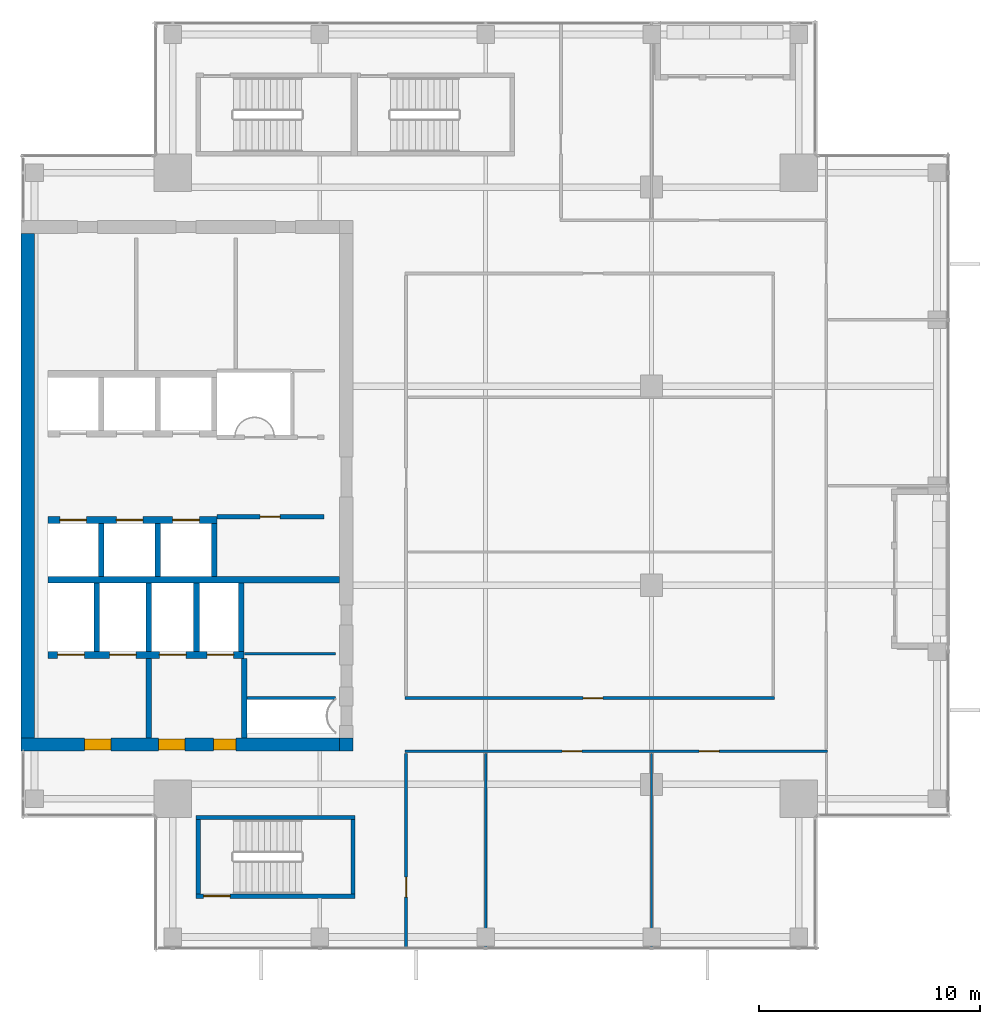
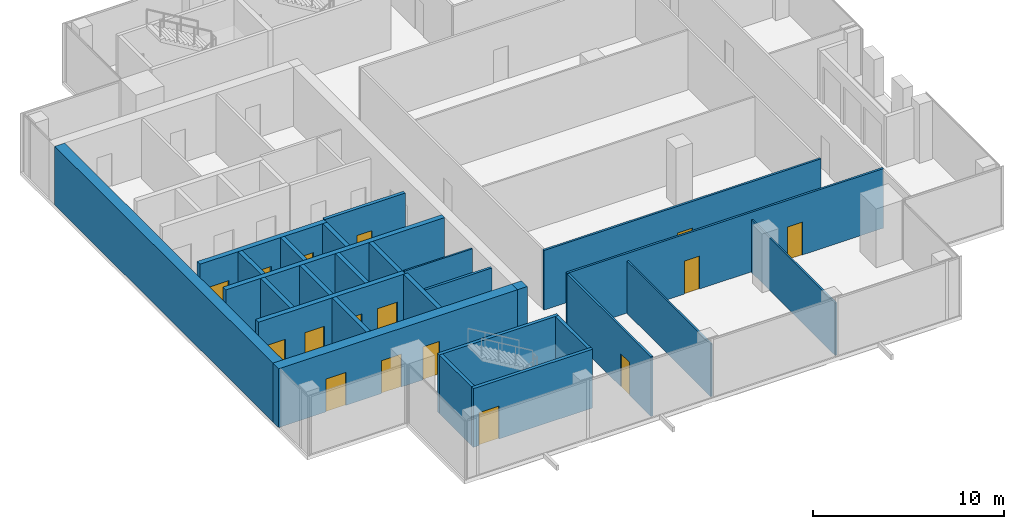
# One storey, part 24 of 29: 27 walls, 16 doors, 16 openings.
"""IFC4 building model written with IfcOpenShell, lengths in metres."""

from ifc_helpers import new_model, si_unit, direction, frame, frame_2d, origin, place, context, subcontext, project, spatial, rectangle, extrude, source, transform, mapped, material, layer, layer_set, type_object, element, fill, save


model = new_model("IFC4")

# Units and contexts
model_context = context("Model", 3, precision=1e-05, world=origin(), true_north=direction((0.0, 1.0)))
body_context = subcontext(model_context, "Body", "Model", "MODEL_VIEW")
ifc_project = project(units=[si_unit("LENGTHUNIT", "METRE"), si_unit("AREAUNIT", "SQUARE_METRE"), si_unit("VOLUMEUNIT", "CUBIC_METRE"), si_unit("PLANEANGLEUNIT", "RADIAN"), si_unit("MASSUNIT", "GRAM", prefix="KILO")], contexts=[model_context])

# Site, building, storey
site_placement = place(None, origin())
site = spatial("IfcSite", under=ifc_project, at=site_placement, CompositionType="ELEMENT")
building_placement = place(site_placement, origin())
building = spatial("IfcBuilding", under=site, at=building_placement, Name="Khomas Fold Tower", CompositionType="ELEMENT")
storey_placement = place(building_placement, frame((0.0, 0.0, 290.199951171875)))
storey = spatial("IfcBuildingStorey", under=building, at=storey_placement, Name="L65", CompositionType="ELEMENT", Elevation=290.199951171875)

# Wall
ifc_material_1 = material(Name="Concrete C50/60", Category="concrete")
ifc_layer_1 = layer(ifc_material_1, 0.199951171875)
ifc_layer_set_1 = layer_set([ifc_layer_1], Name="Concrete C50/60")
wall_type_1 = type_object("IfcWallType", Name="Stair wall 200", PredefinedType="SHEAR", material=ifc_layer_set_1)
shared_shape_1 = source(origin(), body_context, "Body", "SweptSolid", [
    extrude(rectangle(XDim=7.2001953125, YDim=0.199951171875, at=frame_2d((3.60009765625, 0.0))), origin(), (0.0, 0.0, 1.0), 3.75),
])
wall_1_placement = place(storey_placement, frame((13.89990234375, 12.0, 0.0), z_axis=(0.0, 0.0, 1.0), x_axis=(1.0, 0.0, 0.0)))
element("IfcWall", 1, at=wall_1_placement, inside=storey, type_object=wall_type_1, Name="Stair wall SW-ST2-NH", PredefinedType="SHEAR", context=body_context, shape_type="MappedRepresentation", body=[
    mapped(shared_shape_1, transform((0.0, 0.0, 0.0))),
])

# Wall, opening, door
wall_2_placement = place(storey_placement, frame((13.89990234375, 8.449951171875, 0.0), z_axis=(0.0, 0.0, 1.0), x_axis=(1.0, 0.0, 0.0)))
wall_2 = element("IfcWall", 2, at=wall_2_placement, inside=storey, type_object=wall_type_1, Name="Stair wall SW-ST2-S", PredefinedType="SHEAR", context=body_context, shape_type="MappedRepresentation", body=[
    mapped(shared_shape_1, transform((0.0, 0.0, 0.0))),
])
shared_shape_2 = source(origin(), body_context, "Body", "SweptSolid", [
    extrude(rectangle(XDim=1.199951171875, YDim=2.10009765625, at=frame_2d((0.60009765625, 1.050048828125))), frame((0.0, 0.10986328125, 0.0), z_axis=(0.0, -1.0, 0.0), x_axis=(1.0, 0.0, 0.0)), (0.0, 0.0, 1.0), 0.219970703125),
])
opening_1_placement = place(wall_2_placement, frame((0.35009765625, 0.0, 0.0)))
opening_1 = element("IfcOpeningElement", 3, at=opening_1_placement, cuts=wall_2, Name="Opening SD-ST2", PredefinedType="OPENING", context=body_context, shape_type="MappedRepresentation", body=[
    mapped(shared_shape_2, transform((0.0, 0.0, 0.0))),
])
ifc_material_2 = material(Name="Steel door leaf", Category="steel")
door_type_1 = type_object("IfcDoorType", Name="Stair door 1200x2100 right-hand", OperationType="SINGLE_SWING_RIGHT", PredefinedType="DOOR", material=ifc_material_2)
shared_shape_3 = source(origin(), body_context, "Body", "SweptSolid", [
    extrude(rectangle(XDim=1.199951171875, YDim=2.10009765625, at=frame_2d((0.60009765625, 1.050048828125))), frame((0.0, 0.02490234375, 0.0), z_axis=(0.0, -1.0, 0.0), x_axis=(1.0, 0.0, 0.0)), (0.0, 0.0, 1.0), 0.050048828125),
])
door_1_placement = place(opening_1_placement, origin())
door_1 = element("IfcDoor", 4, at=door_1_placement, inside=storey, type_object=door_type_1, Name="Stair door", OperationType="SINGLE_SWING_RIGHT", OverallHeight=2.10009765625, OverallWidth=1.199951171875, PredefinedType="DOOR", context=body_context, shape_type="MappedRepresentation", body=[
    mapped(shared_shape_3, transform((0.0, 0.0, 0.0))),
])
fill(opening_1, door_1)

# Walls
shared_shape_4 = source(origin(), body_context, "Body", "SweptSolid", [
    extrude(rectangle(XDim=3.349853515625, YDim=0.199951171875, at=frame_2d((1.6748046875, 0.0))), origin(), (0.0, 0.0, 1.0), 3.75),
])
for number, where, z_axis, x_axis, name in (
    (5, (21.0, 8.550048828125, 0.0), (0.0, 0.0, 1.0), (0.0, 1.0, 0.0), "Stair wall SW-ST2-E"),
    (6, (14.0, 8.550048828125, 0.0), (0.0, 0.0, 1.0), (0.0, 1.0, 0.0), "Stair wall SW-ST2-W"),
):
    element("IfcWall", number, at=place(storey_placement, frame(where, z_axis=z_axis, x_axis=x_axis)), inside=storey, type_object=wall_type_1, Name=name, PredefinedType="SHEAR", context=body_context, shape_type="MappedRepresentation", body=[
        mapped(shared_shape_4, transform((0.0, 0.0, 0.0))),
    ])
ifc_material_3 = material(Name="Concrete C50/60", Category="concrete")
ifc_layer_2 = layer(ifc_material_3, 0.25)
ifc_layer_set_2 = layer_set([ifc_layer_2], Name="Concrete C50/60")
wall_type_2 = type_object("IfcWallType", Name="Shaft wall 250", PredefinedType="STANDARD", material=ifc_layer_set_2)
shared_shape_5 = source(origin(), body_context, "Body", "SweptSolid", [
    extrude(rectangle(XDim=3.10009765625, YDim=0.25, at=frame_2d((1.550048828125, 0.0))), origin(), (0.0, 0.0, 1.0), 3.75),
])
for number, where, z_axis, x_axis, name in (
    (7, (9.425048828125, 19.5, 0.0), (0.0, 0.0, 1.0), (0.0, 1.0, 0.0), "Core wall SW-FS-P1"),
    (8, (11.77490234375, 19.5, 0.0), (0.0, 0.0, 1.0), (0.0, 1.0, 0.0), "Core wall SW-FS-P2"),
    (9, (13.925048828125, 19.5, 0.0), (0.0, 0.0, 1.0), (0.0, 1.0, 0.0), "Core wall SW-FS-P3"),
    (10, (15.949951171875, 19.5, 0.0), (0.0, 0.0, 1.0), (0.0, 1.0, 0.0), "Core wall SW-FS-PE"),
):
    element("IfcWall", number, at=place(storey_placement, frame(where, z_axis=z_axis, x_axis=x_axis)), inside=storey, type_object=wall_type_2, Name=name, PredefinedType="STANDARD", context=body_context, shape_type="MappedRepresentation", body=[
        mapped(shared_shape_5, transform((0.0, 0.0, 0.0))),
    ])
shared_shape_6 = source(origin(), body_context, "Body", "SweptSolid", [
    extrude(rectangle(XDim=2.400146484375, YDim=0.25, at=frame_2d((1.2001953125, 0.0))), origin(), (0.0, 0.0, 1.0), 3.75),
])
for number, where, z_axis, x_axis, name in (
    (11, (9.625, 22.89990234375, 0.0), (0.0, 0.0, 1.0), (0.0, 1.0, 0.0), "Core wall SW-HRS-P1"),
    (12, (12.175048828125, 22.89990234375, 0.0), (0.0, 0.0, 1.0), (0.0, 1.0, 0.0), "Core wall SW-HRS-P2"),
    (13, (14.72509765625, 22.89990234375, 0.0), (0.0, 0.0, 1.0), (0.0, 1.0, 0.0), "Core wall SW-HRS-PE"),
):
    element("IfcWall", number, at=place(storey_placement, frame(where, z_axis=z_axis, x_axis=x_axis)), inside=storey, type_object=wall_type_2, Name=name, PredefinedType="STANDARD", context=body_context, shape_type="MappedRepresentation", body=[
        mapped(shared_shape_6, transform((0.0, 0.0, 0.0))),
    ])

# Wall, openings, doors
ifc_material_4 = material(Name="Concrete C50/60", Category="concrete")
ifc_layer_3 = layer(ifc_material_4, 0.60009765625)
ifc_layer_set_3 = layer_set([ifc_layer_3], Name="Concrete C50/60")
wall_type_3 = type_object("IfcWallType", Name="Core wall 600", PredefinedType="SHEAR", material=ifc_layer_set_3)
shared_shape_7 = source(origin(), body_context, "Body", "SweptSolid", [
    extrude(rectangle(XDim=14.39990234375, YDim=0.60009765625, at=frame_2d((7.199951171875, 0.0))), origin(), (0.0, 0.0, 1.0), 3.75),
])
wall_3_placement = place(storey_placement, frame((6.0, 15.300048828125, 0.0), z_axis=(0.0, 0.0, 1.0), x_axis=(1.0, 0.0, 0.0)))
wall_3 = element("IfcWall", 14, at=wall_3_placement, inside=storey, type_object=wall_type_3, Name="Core wall CW-U-S-L63", PredefinedType="SHEAR", context=body_context, shape_type="MappedRepresentation", body=[
    mapped(shared_shape_7, transform((0.0, 0.0, 0.0))),
])
shared_shape_8 = source(origin(), body_context, "Body", "SweptSolid", [
    extrude(rectangle(XDim=1.199951171875, YDim=2.10009765625, at=frame_2d((0.60009765625, 1.050048828125))), frame((0.0, 0.31005859375, 0.0), z_axis=(0.0, -1.0, 0.0), x_axis=(1.0, 0.0, 0.0)), (0.0, 0.0, 1.0), 0.6201171875),
])
opening_2_placement = place(wall_3_placement, frame((6.199951171875, 0.0, 0.0)))
opening_2 = element("IfcOpeningElement", 15, at=opening_2_placement, cuts=wall_3, Name="Opening 0009", PredefinedType="OPENING", context=body_context, shape_type="MappedRepresentation", body=[
    mapped(shared_shape_8, transform((0.0, 0.0, 0.0))),
])
opening_3_placement = place(wall_3_placement, frame((2.85009765625, 0.0, 0.0)))
opening_3 = element("IfcOpeningElement", 16, at=opening_3_placement, cuts=wall_3, Name="Opening 0009", PredefinedType="OPENING", context=body_context, shape_type="MappedRepresentation", body=[
    mapped(shared_shape_8, transform((0.0, 0.0, 0.0))),
])
shared_shape_9 = source(origin(), body_context, "Body", "SweptSolid", [
    extrude(rectangle(XDim=1.0, YDim=2.10009765625, at=frame_2d((0.5, 1.050048828125))), frame((0.0, 0.31005859375, 0.0), z_axis=(0.0, -1.0, 0.0), x_axis=(1.0, 0.0, 0.0)), (0.0, 0.0, 1.0), 0.6201171875),
])
opening_4_placement = place(wall_3_placement, frame((8.699951171875, 0.0, 0.0)))
opening_4 = element("IfcOpeningElement", 17, at=opening_4_placement, cuts=wall_3, Name="Opening 0010", PredefinedType="OPENING", context=body_context, shape_type="MappedRepresentation", body=[
    mapped(shared_shape_9, transform((0.0, 0.0, 0.0))),
])
ifc_material_5 = material(Name="Steel door leaf", Category="steel")
door_type_2 = type_object("IfcDoorType", Name="Stair door 1000x2100 right-hand", OperationType="SINGLE_SWING_RIGHT", PredefinedType="DOOR", material=ifc_material_5)
shared_shape_10 = source(origin(), body_context, "Body", "SweptSolid", [
    extrude(rectangle(XDim=1.0, YDim=2.10009765625, at=frame_2d((0.5, 1.050048828125))), frame((0.0, 0.25, 0.0), z_axis=(0.0, -1.0, 0.0), x_axis=(1.0, 0.0, 0.0)), (0.0, 0.0, 1.0), 0.5),
])
door_2_placement = place(opening_4_placement, origin())
door_2 = element("IfcDoor", 18, at=door_2_placement, inside=storey, type_object=door_type_2, Name="Stair door", OperationType="SINGLE_SWING_RIGHT", OverallHeight=2.10009765625, OverallWidth=1.0, PredefinedType="DOOR", context=body_context, shape_type="MappedRepresentation", body=[
    mapped(shared_shape_10, transform((0.0, 0.0, 0.0))),
])
fill(opening_4, door_2)
ifc_material_6 = material(Name="Steel door leaf", Category="steel")
door_type_3 = type_object("IfcDoorType", Name="Lobby door 1200x2100 right-hand", OperationType="SINGLE_SWING_RIGHT", PredefinedType="DOOR", material=ifc_material_6)
shared_shape_11 = source(origin(), body_context, "Body", "SweptSolid", [
    extrude(rectangle(XDim=1.199951171875, YDim=2.10009765625, at=frame_2d((0.60009765625, 1.050048828125))), frame((0.0, 0.25, 0.0), z_axis=(0.0, -1.0, 0.0), x_axis=(1.0, 0.0, 0.0)), (0.0, 0.0, 1.0), 0.5),
])
door_3_placement = place(opening_2_placement, origin())
door_3 = element("IfcDoor", 19, at=door_3_placement, inside=storey, type_object=door_type_3, Name="Lobby door", OperationType="SINGLE_SWING_RIGHT", OverallHeight=2.10009765625, OverallWidth=1.199951171875, PredefinedType="DOOR", context=body_context, shape_type="MappedRepresentation", body=[
    mapped(shared_shape_11, transform((0.0, 0.0, 0.0))),
])
fill(opening_2, door_3)
door_4_placement = place(opening_3_placement, origin())
door_4 = element("IfcDoor", 20, at=door_4_placement, inside=storey, type_object=door_type_3, Name="Lobby door", OperationType="SINGLE_SWING_RIGHT", OverallHeight=2.10009765625, OverallWidth=1.199951171875, PredefinedType="DOOR", context=body_context, shape_type="MappedRepresentation", body=[
    mapped(shared_shape_11, transform((0.0, 0.0, 0.0))),
])
fill(opening_3, door_4)

# Walls
ifc_material_7 = material(Name="Concrete C50/60", Category="concrete")
ifc_layer_4 = layer(ifc_material_7, 0.60009765625)
ifc_layer_set_4 = layer_set([ifc_layer_4], Name="Concrete C50/60")
wall_type_4 = type_object("IfcWallType", Name="Core corner wall 600", PredefinedType="SHEAR", material=ifc_layer_set_4)
shared_shape_12 = source(origin(), body_context, "Body", "SweptSolid", [
    extrude(rectangle(XDim=0.60009765625, YDim=0.60009765625, at=frame_2d((0.300048828125, 0.0))), origin(), (0.0, 0.0, 1.0), 3.75),
])
wall_4_placement = place(storey_placement, frame((20.39990234375, 15.300048828125, 0.0), z_axis=(0.0, 0.0, 1.0), x_axis=(1.0, 0.0, 0.0)))
element("IfcWall", 21, at=wall_4_placement, inside=storey, type_object=wall_type_4, Name="Core wall CW-U-SE-L63", PredefinedType="SHEAR", context=body_context, shape_type="MappedRepresentation", body=[
    mapped(shared_shape_12, transform((0.0, 0.0, 0.0))),
])
shared_shape_13 = source(origin(), body_context, "Body", "SweptSolid", [
    extrude(rectangle(XDim=22.7998046875, YDim=0.60009765625, at=frame_2d((11.39990234375, 0.0))), origin(), (0.0, 0.0, 1.0), 3.75),
])
wall_5_placement = place(storey_placement, frame((6.300048828125, 15.60009765625, 0.0), z_axis=(0.0, 0.0, 1.0), x_axis=(0.0, 1.0, 0.0)))
element("IfcWall", 22, at=wall_5_placement, inside=storey, type_object=wall_type_3, Name="Core wall CW-U-W-L63", PredefinedType="SHEAR", context=body_context, shape_type="MappedRepresentation", body=[
    mapped(shared_shape_13, transform((0.0, 0.0, 0.0))),
])
ifc_material_8 = material(Name="Concrete C50/60", Category="concrete")
ifc_layer_5 = layer(ifc_material_8, 0.300048828125)
ifc_layer_set_5 = layer_set([ifc_layer_5], Name="Concrete C50/60")
wall_type_5 = type_object("IfcWallType", Name="Shaft wall 300", PredefinedType="STANDARD", material=ifc_layer_set_5)
shared_shape_14 = source(origin(), body_context, "Body", "SweptSolid", [
    extrude(rectangle(XDim=13.199951171875, YDim=0.300048828125, at=frame_2d((6.60009765625, 0.0))), origin(), (0.0, 0.0, 1.0), 3.75),
])
wall_6_placement = place(storey_placement, frame((7.199951171875, 22.75, 0.0), z_axis=(0.0, 0.0, 1.0), x_axis=(1.0, 0.0, 0.0)))
element("IfcWall", 23, at=wall_6_placement, inside=storey, type_object=wall_type_5, Name="Core wall SW-FS-B", PredefinedType="STANDARD", context=body_context, shape_type="MappedRepresentation", body=[
    mapped(shared_shape_14, transform((0.0, 0.0, 0.0))),
])

# Wall, openings, doors
shared_shape_15 = source(origin(), body_context, "Body", "SweptSolid", [
    extrude(rectangle(XDim=8.875, YDim=0.300048828125, at=frame_2d((4.4375, 0.0))), origin(), (0.0, 0.0, 1.0), 3.75),
])
wall_7_placement = place(storey_placement, frame((7.199951171875, 19.35009765625, 0.0), z_axis=(0.0, 0.0, 1.0), x_axis=(1.0, 0.0, 0.0)))
wall_7 = element("IfcWall", 24, at=wall_7_placement, inside=storey, type_object=wall_type_5, Name="Core wall SW-FS-F", PredefinedType="STANDARD", context=body_context, shape_type="MappedRepresentation", body=[
    mapped(shared_shape_15, transform((0.0, 0.0, 0.0))),
])
shared_shape_16 = source(origin(), body_context, "Body", "SweptSolid", [
    extrude(rectangle(XDim=1.199951171875, YDim=2.10009765625, at=frame_2d((0.60009765625, 1.050048828125))), frame((0.0, 0.159912109375, 0.0), z_axis=(0.0, -1.0, 0.0), x_axis=(1.0, 0.0, 0.0)), (0.0, 0.0, 1.0), 0.320068359375),
])
opening_5_placement = place(wall_7_placement, frame((0.449951171875, 0.0, 0.0)))
opening_5 = element("IfcOpeningElement", 25, at=opening_5_placement, cuts=wall_7, Name="Opening LD-SV1", PredefinedType="OPENING", context=body_context, shape_type="MappedRepresentation", body=[
    mapped(shared_shape_16, transform((0.0, 0.0, 0.0))),
])
opening_6_placement = place(wall_7_placement, frame((2.800048828125, 0.0, 0.0)))
opening_6 = element("IfcOpeningElement", 26, at=opening_6_placement, cuts=wall_7, Name="Opening LD-SV2", PredefinedType="OPENING", context=body_context, shape_type="MappedRepresentation", body=[
    mapped(shared_shape_16, transform((0.0, 0.0, 0.0))),
])
opening_7_placement = place(wall_7_placement, frame((5.050048828125, 0.0, 0.0)))
opening_7 = element("IfcOpeningElement", 27, at=opening_7_placement, cuts=wall_7, Name="Opening LD-FF1", PredefinedType="OPENING", context=body_context, shape_type="MappedRepresentation", body=[
    mapped(shared_shape_16, transform((0.0, 0.0, 0.0))),
])
opening_8_placement = place(wall_7_placement, frame((7.199951171875, 0.0, 0.0)))
opening_8 = element("IfcOpeningElement", 28, at=opening_8_placement, cuts=wall_7, Name="Opening LD-FF2", PredefinedType="OPENING", context=body_context, shape_type="MappedRepresentation", body=[
    mapped(shared_shape_16, transform((0.0, 0.0, 0.0))),
])
ifc_material_9 = material(Name="Steel door leaf", Category="steel")
door_type_4 = type_object("IfcDoorType", Name="Landing door 1200x2100", OperationType="DOUBLE_DOOR_SLIDING", PredefinedType="DOOR", material=ifc_material_9)
door_5_placement = place(opening_5_placement, origin())
door_5 = element("IfcDoor", 29, at=door_5_placement, inside=storey, type_object=door_type_4, Name="Lift landing door", OperationType="DOUBLE_DOOR_SLIDING", OverallHeight=2.10009765625, OverallWidth=1.199951171875, PredefinedType="DOOR", context=body_context, shape_type="MappedRepresentation", body=[
    mapped(shared_shape_3, transform((0.0, 0.0, 0.0))),
])
fill(opening_5, door_5)
door_6_placement = place(opening_6_placement, origin())
door_6 = element("IfcDoor", 30, at=door_6_placement, inside=storey, type_object=door_type_4, Name="Lift landing door", OperationType="DOUBLE_DOOR_SLIDING", OverallHeight=2.10009765625, OverallWidth=1.199951171875, PredefinedType="DOOR", context=body_context, shape_type="MappedRepresentation", body=[
    mapped(shared_shape_3, transform((0.0, 0.0, 0.0))),
])
fill(opening_6, door_6)
door_7_placement = place(opening_7_placement, origin())
door_7 = element("IfcDoor", 31, at=door_7_placement, inside=storey, type_object=door_type_4, Name="Lift landing door", OperationType="DOUBLE_DOOR_SLIDING", OverallHeight=2.10009765625, OverallWidth=1.199951171875, PredefinedType="DOOR", context=body_context, shape_type="MappedRepresentation", body=[
    mapped(shared_shape_3, transform((0.0, 0.0, 0.0))),
])
fill(opening_7, door_7)
door_8_placement = place(opening_8_placement, origin())
door_8 = element("IfcDoor", 32, at=door_8_placement, inside=storey, type_object=door_type_4, Name="Lift landing door", OperationType="DOUBLE_DOOR_SLIDING", OverallHeight=2.10009765625, OverallWidth=1.199951171875, PredefinedType="DOOR", context=body_context, shape_type="MappedRepresentation", body=[
    mapped(shared_shape_3, transform((0.0, 0.0, 0.0))),
])
fill(opening_8, door_8)

shared_shape_17 = source(origin(), body_context, "Body", "SweptSolid", [
    extrude(rectangle(XDim=7.650146484375, YDim=0.300048828125, at=frame_2d((3.8251953125, 0.0))), origin(), (0.0, 0.0, 1.0), 3.75),
])
wall_8_placement = place(storey_placement, frame((7.199951171875, 25.449951171875, 0.0), z_axis=(0.0, 0.0, 1.0), x_axis=(1.0, 0.0, 0.0)))
wall_8 = element("IfcWall", 33, at=wall_8_placement, inside=storey, type_object=wall_type_5, Name="Core wall SW-HRS-F", PredefinedType="STANDARD", context=body_context, shape_type="MappedRepresentation", body=[
    mapped(shared_shape_17, transform((0.0, 0.0, 0.0))),
])
opening_9_placement = place(wall_8_placement, frame((0.550048828125, 0.0, 0.0)))
opening_9 = element("IfcOpeningElement", 34, at=opening_9_placement, cuts=wall_8, Name="Opening LD-HR1", PredefinedType="OPENING", context=body_context, shape_type="MappedRepresentation", body=[
    mapped(shared_shape_16, transform((0.0, 0.0, 0.0))),
])
opening_10_placement = place(wall_8_placement, frame((3.10009765625, 0.0, 0.0)))
opening_10 = element("IfcOpeningElement", 35, at=opening_10_placement, cuts=wall_8, Name="Opening LD-HR2", PredefinedType="OPENING", context=body_context, shape_type="MappedRepresentation", body=[
    mapped(shared_shape_16, transform((0.0, 0.0, 0.0))),
])
opening_11_placement = place(wall_8_placement, frame((5.64990234375, 0.0, 0.0)))
opening_11 = element("IfcOpeningElement", 36, at=opening_11_placement, cuts=wall_8, Name="Opening LD-HR3", PredefinedType="OPENING", context=body_context, shape_type="MappedRepresentation", body=[
    mapped(shared_shape_16, transform((0.0, 0.0, 0.0))),
])
door_9_placement = place(opening_9_placement, origin())
door_9 = element("IfcDoor", 37, at=door_9_placement, inside=storey, type_object=door_type_4, Name="Lift landing door", OperationType="DOUBLE_DOOR_SLIDING", OverallHeight=2.10009765625, OverallWidth=1.199951171875, PredefinedType="DOOR", context=body_context, shape_type="MappedRepresentation", body=[
    mapped(shared_shape_3, transform((0.0, 0.0, 0.0))),
])
fill(opening_9, door_9)
door_10_placement = place(opening_10_placement, origin())
door_10 = element("IfcDoor", 38, at=door_10_placement, inside=storey, type_object=door_type_4, Name="Lift landing door", OperationType="DOUBLE_DOOR_SLIDING", OverallHeight=2.10009765625, OverallWidth=1.199951171875, PredefinedType="DOOR", context=body_context, shape_type="MappedRepresentation", body=[
    mapped(shared_shape_3, transform((0.0, 0.0, 0.0))),
])
fill(opening_10, door_10)
door_11_placement = place(opening_11_placement, origin())
door_11 = element("IfcDoor", 39, at=door_11_placement, inside=storey, type_object=door_type_4, Name="Lift landing door", OperationType="DOUBLE_DOOR_SLIDING", OverallHeight=2.10009765625, OverallWidth=1.199951171875, PredefinedType="DOOR", context=body_context, shape_type="MappedRepresentation", body=[
    mapped(shared_shape_3, transform((0.0, 0.0, 0.0))),
])
fill(opening_11, door_11)

# Walls
ifc_material_10 = material(Name="Concrete C50/60", Category="concrete")
ifc_layer_6 = layer(ifc_material_10, 0.25)
ifc_layer_set_6 = layer_set([ifc_layer_6], Name="Concrete C50/60")
wall_type_6 = type_object("IfcWallType", Name="Lobby wall 250", PredefinedType="STANDARD", material=ifc_layer_set_6)
shared_shape_18 = source(origin(), body_context, "Body", "SweptSolid", [
    extrude(rectangle(XDim=3.599853515625, YDim=0.25, at=frame_2d((1.7998046875, 0.0))), origin(), (0.0, 0.0, 1.0), 3.75),
])
for number, where, z_axis, x_axis, name in (
    (40, (16.074951171875, 15.60009765625, 0.0), (0.0, 0.0, 1.0), (0.0, 1.0, 0.0), "Core wall SW-FS-LOB-E"),
    (41, (11.77490234375, 15.60009765625, 0.0), (0.0, 0.0, 1.0), (0.0, 1.0, 0.0), "Core wall SW-FS-SEP"),
):
    element("IfcWall", number, at=place(storey_placement, frame(where, z_axis=z_axis, x_axis=x_axis)), inside=storey, type_object=wall_type_6, Name=name, PredefinedType="STANDARD", context=body_context, shape_type="MappedRepresentation", body=[
        mapped(shared_shape_18, transform((0.0, 0.0, 0.0))),
    ])
ifc_material_11 = material(Name="Plasterboard fire partition")
ifc_layer_7 = layer(ifc_material_11, 0.14990234375)
ifc_layer_set_7 = layer_set([ifc_layer_7], Name="Plasterboard fire partition")
wall_type_7 = type_object("IfcWallType", Name="Plant room wall PW3 150", PredefinedType="PARTITIONING", material=ifc_layer_set_7)
shared_shape_19 = source(origin(), body_context, "Body", "SweptSolid", [
    extrude(rectangle(XDim=4.0, YDim=0.14990234375, at=frame_2d((2.0, 0.0))), origin(), (0.0, 0.0, 1.0), 3.800048828125),
])
wall_9_placement = place(storey_placement, frame((16.199951171875, 17.39990234375, 0.0), z_axis=(0.0, 0.0, 1.0), x_axis=(1.0, 0.0, 0.0)))
element("IfcWall", 42, at=wall_9_placement, inside=storey, type_object=wall_type_7, Name="Plant room wall", PredefinedType="PARTITIONING", context=body_context, shape_type="MappedRepresentation", body=[
    mapped(shared_shape_19, transform((0.0, 0.0, 0.0))),
])
ifc_material_12 = material(Name="Plasterboard partition")
ifc_layer_8 = layer(ifc_material_12, 0.10009765625)
ifc_layer_set_8 = layer_set([ifc_layer_8], Name="Plasterboard partition")
wall_type_8 = type_object("IfcWallType", Name="Partition PW1 100", PredefinedType="PARTITIONING", material=ifc_layer_set_8)
shared_shape_20 = source(origin(), body_context, "Body", "SweptSolid", [
    extrude(rectangle(XDim=4.099853515625, YDim=0.10009765625, at=frame_2d((2.0498046875, 0.0))), origin(), (0.0, 0.0, 1.0), 3.800048828125),
])
wall_10_placement = place(storey_placement, frame((16.10009765625, 19.39990234375, 0.0), z_axis=(0.0, 0.0, 1.0), x_axis=(1.0, 0.0, 0.0)))
element("IfcWall", 43, at=wall_10_placement, inside=storey, type_object=wall_type_8, Name="Partition", PredefinedType="PARTITIONING", context=body_context, shape_type="MappedRepresentation", body=[
    mapped(shared_shape_20, transform((0.0, 0.0, 0.0))),
])

# Wall, opening, door
ifc_material_13 = material(Name="Concrete C30/37", Category="concrete")
ifc_layer_9 = layer(ifc_material_13, 0.199951171875)
ifc_layer_set_9 = layer_set([ifc_layer_9], Name="Concrete C30/37")
wall_type_9 = type_object("IfcWallType", Name="Lobby wall PW4 200", PredefinedType="PARTITIONING", material=ifc_layer_set_9)
shared_shape_21 = source(origin(), body_context, "Body", "SweptSolid", [
    extrude(rectangle(XDim=4.849853515625, YDim=0.199951171875, at=frame_2d((2.4248046875, 0.0))), origin(), (0.0, 0.0, 1.0), 3.800048828125),
])
wall_11_placement = place(storey_placement, frame((14.85009765625, 25.60009765625, 0.0), z_axis=(0.0, 0.0, 1.0), x_axis=(1.0, 0.0, 0.0)))
wall_11 = element("IfcWall", 44, at=wall_11_placement, inside=storey, type_object=wall_type_9, Name="Lobby wall", PredefinedType="PARTITIONING", context=body_context, shape_type="MappedRepresentation", body=[
    mapped(shared_shape_21, transform((0.0, 0.0, 0.0))),
])
shared_shape_22 = source(origin(), body_context, "Body", "SweptSolid", [
    extrude(rectangle(XDim=0.89990234375, YDim=2.10009765625, at=frame_2d((0.449951171875, 1.050048828125))), frame((0.0, 0.10986328125, 0.0), z_axis=(0.0, -1.0, 0.0), x_axis=(1.0, 0.0, 0.0)), (0.0, 0.0, 1.0), 0.219970703125),
])
opening_12_placement = place(wall_11_placement, frame((1.949951171875, 0.0, 0.0)))
opening_12 = element("IfcOpeningElement", 45, at=opening_12_placement, cuts=wall_11, Name="Opening 0024", PredefinedType="OPENING", context=body_context, shape_type="MappedRepresentation", body=[
    mapped(shared_shape_22, transform((0.0, 0.0, 0.0))),
])
ifc_material_14 = material(Name="Steel door leaf", Category="steel")
door_type_5 = type_object("IfcDoorType", Name="Lobby door 900x2100 right-hand", OperationType="SINGLE_SWING_RIGHT", PredefinedType="DOOR", material=ifc_material_14)
shared_shape_23 = source(origin(), body_context, "Body", "SweptSolid", [
    extrude(rectangle(XDim=0.89990234375, YDim=2.10009765625, at=frame_2d((0.449951171875, 1.050048828125))), frame((0.0, 0.02490234375, 0.0), z_axis=(0.0, -1.0, 0.0), x_axis=(1.0, 0.0, 0.0)), (0.0, 0.0, 1.0), 0.050048828125),
])
door_12_placement = place(opening_12_placement, origin())
door_12 = element("IfcDoor", 46, at=door_12_placement, inside=storey, type_object=door_type_5, Name="Lobby door", OperationType="SINGLE_SWING_RIGHT", OverallHeight=2.10009765625, OverallWidth=0.89990234375, PredefinedType="DOOR", context=body_context, shape_type="MappedRepresentation", body=[
    mapped(shared_shape_23, transform((0.0, 0.0, 0.0))),
])
fill(opening_12, door_12)

ifc_material_15 = material(Name="Plasterboard partition")
ifc_layer_10 = layer(ifc_material_15, 0.125)
ifc_layer_set_10 = layer_set([ifc_layer_10], Name="Plasterboard partition")
wall_type_10 = type_object("IfcWallType", Name="Partition PW2 125", PredefinedType="PARTITIONING", material=ifc_layer_set_10)
shared_shape_24 = source(origin(), body_context, "Body", "SweptSolid", [
    extrude(rectangle(XDim=8.75, YDim=0.125, at=frame_2d((4.375, 0.0))), origin(), (0.0, 0.0, 1.0), 3.800048828125),
])
wall_12_placement = place(storey_placement, frame((23.39990234375, 6.14990234375, 0.0), z_axis=(0.0, 0.0, 1.0), x_axis=(0.0, 1.0, 0.0)))
wall_12 = element("IfcWall", 47, at=wall_12_placement, inside=storey, type_object=wall_type_10, Name="Partition", PredefinedType="PARTITIONING", context=body_context, shape_type="MappedRepresentation", body=[
    mapped(shared_shape_24, transform((0.0, 0.0, 0.0))),
])
shared_shape_25 = source(origin(), body_context, "Body", "SweptSolid", [
    extrude(rectangle(XDim=0.89990234375, YDim=2.10009765625, at=frame_2d((0.449951171875, 1.050048828125))), frame((0.0, 0.072509765625, 0.0), z_axis=(0.0, -1.0, 0.0), x_axis=(1.0, 0.0, 0.0)), (0.0, 0.0, 1.0), 0.14501953125),
])
opening_13_placement = place(wall_12_placement, frame((2.25, 0.0, 0.0)))
opening_13 = element("IfcOpeningElement", 48, at=opening_13_placement, cuts=wall_12, Name="Opening 0007", PredefinedType="OPENING", context=body_context, shape_type="MappedRepresentation", body=[
    mapped(shared_shape_25, transform((0.0, 0.0, 0.0))),
])
ifc_material_16 = material(Name="Timber door leaf", Category="wood")
door_type_6 = type_object("IfcDoorType", Name="Door 900x2100 left-hand", OperationType="SINGLE_SWING_LEFT", PredefinedType="DOOR", material=ifc_material_16)
door_13_placement = place(opening_13_placement, origin())
door_13 = element("IfcDoor", 49, at=door_13_placement, inside=storey, type_object=door_type_6, Name="Door", OperationType="SINGLE_SWING_LEFT", OverallHeight=2.10009765625, OverallWidth=0.89990234375, PredefinedType="DOOR", context=body_context, shape_type="MappedRepresentation", body=[
    mapped(shared_shape_23, transform((0.0, 0.0, 0.0))),
])
fill(opening_13, door_13)

# Walls
shared_shape_26 = source(origin(), body_context, "Body", "SweptSolid", [
    extrude(rectangle(XDim=8.75, YDim=0.10009765625, at=frame_2d((4.375, 0.0))), origin(), (0.0, 0.0, 1.0), 3.35009765625),
])
for number, where, z_axis, x_axis, name in (
    (50, (27.0, 6.14990234375, 0.0), (0.0, 0.0, 1.0), (0.0, 1.0, 0.0), "Partition"),
    (51, (34.5, 6.14990234375, 0.0), (0.0, 0.0, 1.0), (0.0, 1.0, 0.0), "Partition"),
):
    element("IfcWall", number, at=place(storey_placement, frame(where, z_axis=z_axis, x_axis=x_axis)), inside=storey, type_object=wall_type_8, Name=name, PredefinedType="PARTITIONING", context=body_context, shape_type="MappedRepresentation", body=[
        mapped(shared_shape_26, transform((0.0, 0.0, 0.0))),
    ])

# Wall, openings, doors
shared_shape_27 = source(origin(), body_context, "Body", "SweptSolid", [
    extrude(rectangle(XDim=19.099853515625, YDim=0.125, at=frame_2d((9.5498046875, 0.0))), origin(), (0.0, 0.0, 1.0), 3.800048828125),
])
wall_13_placement = place(storey_placement, frame((23.35009765625, 15.0, 0.0), z_axis=(0.0, 0.0, 1.0), x_axis=(1.0, 0.0, 0.0)))
wall_13 = element("IfcWall", 52, at=wall_13_placement, inside=storey, type_object=wall_type_10, Name="Partition", PredefinedType="PARTITIONING", context=body_context, shape_type="MappedRepresentation", body=[
    mapped(shared_shape_27, transform((0.0, 0.0, 0.0))),
])
opening_14_placement = place(wall_13_placement, frame((7.10009765625, 0.0, 0.0)))
opening_14 = element("IfcOpeningElement", 53, at=opening_14_placement, cuts=wall_13, Name="Opening 0008", PredefinedType="OPENING", context=body_context, shape_type="MappedRepresentation", body=[
    mapped(shared_shape_25, transform((0.0, 0.0, 0.0))),
])
opening_15_placement = place(wall_13_placement, frame((13.300048828125, 0.0, 0.0)))
opening_15 = element("IfcOpeningElement", 54, at=opening_15_placement, cuts=wall_13, Name="Opening 0007", PredefinedType="OPENING", context=body_context, shape_type="MappedRepresentation", body=[
    mapped(shared_shape_25, transform((0.0, 0.0, 0.0))),
])
ifc_material_17 = material(Name="Timber door leaf", Category="wood")
door_type_7 = type_object("IfcDoorType", Name="Door 900x2100 right-hand", OperationType="SINGLE_SWING_RIGHT", PredefinedType="DOOR", material=ifc_material_17)
door_14_placement = place(opening_14_placement, origin())
door_14 = element("IfcDoor", 55, at=door_14_placement, inside=storey, type_object=door_type_7, Name="Door", OperationType="SINGLE_SWING_RIGHT", OverallHeight=2.10009765625, OverallWidth=0.89990234375, PredefinedType="DOOR", context=body_context, shape_type="MappedRepresentation", body=[
    mapped(shared_shape_23, transform((0.0, 0.0, 0.0))),
])
fill(opening_14, door_14)
door_15_placement = place(opening_15_placement, origin())
door_15 = element("IfcDoor", 56, at=door_15_placement, inside=storey, type_object=door_type_6, Name="Door", OperationType="SINGLE_SWING_LEFT", OverallHeight=2.10009765625, OverallWidth=0.89990234375, PredefinedType="DOOR", context=body_context, shape_type="MappedRepresentation", body=[
    mapped(shared_shape_23, transform((0.0, 0.0, 0.0))),
])
fill(opening_15, door_15)

# Wall, opening, door
shared_shape_28 = source(origin(), body_context, "Body", "SweptSolid", [
    extrude(rectangle(XDim=16.699951171875, YDim=0.125, at=frame_2d((8.35009765625, 0.0))), origin(), (0.0, 0.0, 1.0), 3.800048828125),
])
wall_14_placement = place(storey_placement, frame((23.35009765625, 17.39990234375, 0.0), z_axis=(0.0, 0.0, 1.0), x_axis=(1.0, 0.0, 0.0)))
wall_14 = element("IfcWall", 57, at=wall_14_placement, inside=storey, type_object=wall_type_10, Name="Partition", PredefinedType="PARTITIONING", context=body_context, shape_type="MappedRepresentation", body=[
    mapped(shared_shape_28, transform((0.0, 0.0, 0.0))),
])
opening_16_placement = place(wall_14_placement, frame((8.050048828125, 0.0, 0.0)))
opening_16 = element("IfcOpeningElement", 58, at=opening_16_placement, cuts=wall_14, Name="Opening 0007", PredefinedType="OPENING", context=body_context, shape_type="MappedRepresentation", body=[
    mapped(shared_shape_25, transform((0.0, 0.0, 0.0))),
])
door_16_placement = place(opening_16_placement, origin())
door_16 = element("IfcDoor", 59, at=door_16_placement, inside=storey, type_object=door_type_6, Name="Door", OperationType="SINGLE_SWING_LEFT", OverallHeight=2.10009765625, OverallWidth=0.89990234375, PredefinedType="DOOR", context=body_context, shape_type="MappedRepresentation", body=[
    mapped(shared_shape_23, transform((0.0, 0.0, 0.0))),
])
fill(opening_16, door_16)

save(model, "model.ifc")
